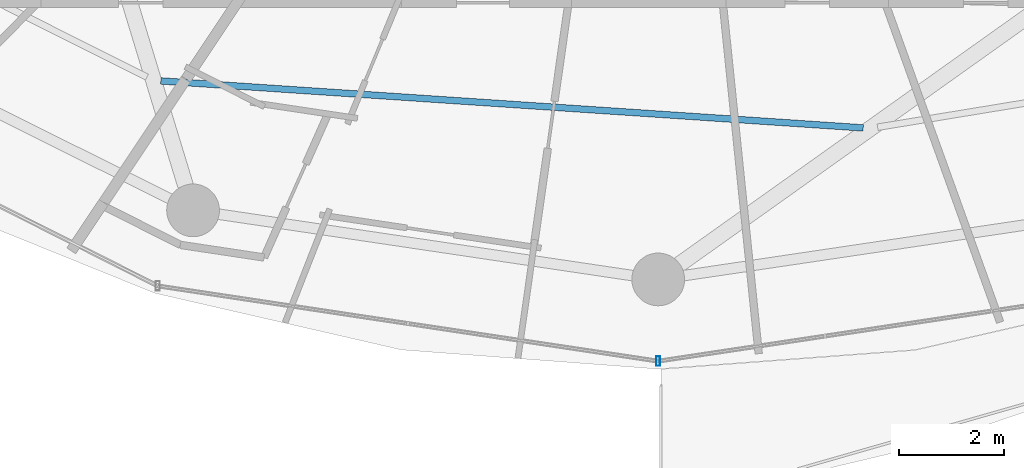
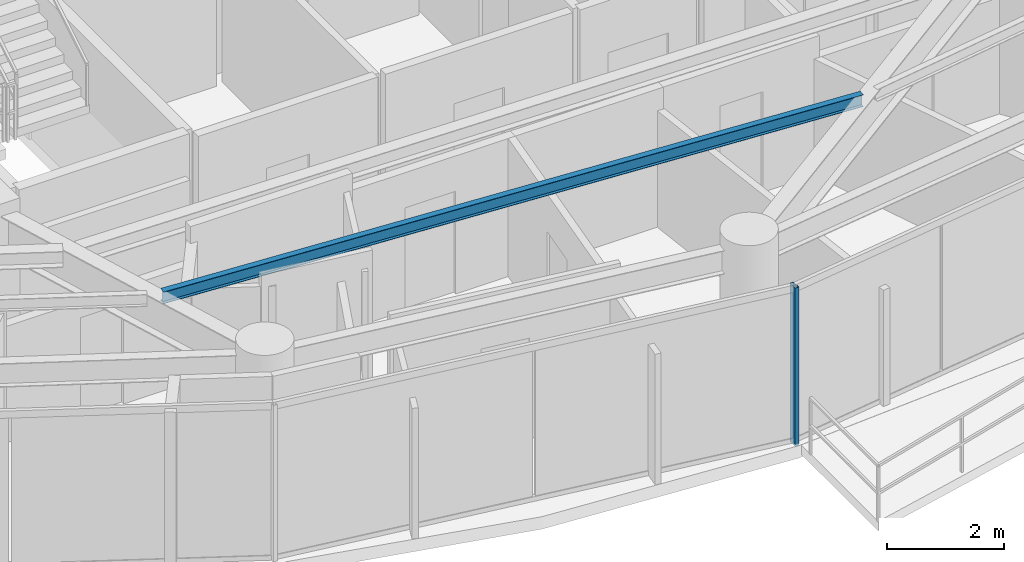
# One storey, part 6 of 30: 1 beam, 1 member, 1 element without a shape of its own.
"""IFC4 building model written with IfcOpenShell, lengths in metres."""

import ifcopenshell
import ifcopenshell.guid

model = None  # the IFC model being written
_history = None  # IfcOwnerHistory: only IFC2X3 demands one
_inside = {}  # id of a spatial element -> (the spatial element, [elements in it])
_under = {}  # id of a project, library or spatial element -> (it, [spatial elements below it])
_declared = {}  # id of a project -> (the project, [libraries it declares])
_typed = {}  # id of a type object -> (the type object, [elements of that type])
_made_of = {}  # id of a material, layer set ... -> (it, [elements and type objects made of it])


def new_model(schema):
    """Start an empty IFC model of exactly this schema.

    Asked for "IFC4X3", IfcOpenShell would pick the latest addendum, in which some entities
    have other attributes; the version numbers below select the first issue.
    IFC2X3 requires an IfcOwnerHistory on every rooted entity: one is made here for all.
    """
    global model, _history
    if schema == "IFC4X3":
        model = ifcopenshell.file(schema_version=(4, 3, 0, 0))
    else:
        model = ifcopenshell.file(schema=schema)
    _inside.clear()
    _under.clear()
    _declared.clear()
    _typed.clear()
    _made_of.clear()
    _history = None
    if model.schema == "IFC2X3":
        org = make("IfcOrganization", Name="unknown")
        user = make(
            "IfcPersonAndOrganization",
            ThePerson=make("IfcPerson", FamilyName="unknown"),
            TheOrganization=org,
        )
        app = make(
            "IfcApplication",
            ApplicationDeveloper=org,
            Version="unknown",
            ApplicationFullName="unknown",
            ApplicationIdentifier="unknown",
        )
        _history = make(
            "IfcOwnerHistory",
            OwningUser=user,
            OwningApplication=app,
            ChangeAction="ADDED",
            CreationDate=0,
        )
    return model


def make(cls, **values):
    """One entity of the class cls with the attributes given. An attribute that is None is left unset."""
    return model.create_entity(
        cls, **{name: value for name, value in values.items() if value is not None}
    )


def rooted(cls, **values):
    """An entity with a GlobalId (a new one), such as an element, a storey or a relation."""
    return make(cls, GlobalId=ifcopenshell.guid.new(), OwnerHistory=_history, **values)


def si_unit(unit_type, name, prefix=None):
    """IfcSIUnit, for example si_unit("LENGTHUNIT", "METRE", prefix="MILLI")."""
    return make("IfcSIUnit", UnitType=unit_type, Prefix=prefix, Name=name)


def assignment(units):
    """IfcUnitAssignment: the units of a project."""
    return None if units is None else make("IfcUnitAssignment", Units=units)


def point(xyz):
    """IfcCartesianPoint."""
    return None if xyz is None else make("IfcCartesianPoint", Coordinates=xyz)


def direction(xyz):
    """IfcDirection."""
    return None if xyz is None else make("IfcDirection", DirectionRatios=xyz)


def frame(location, z_axis=None, x_axis=None):
    """IfcAxis2Placement3D, a coordinate frame: its origin and axes. An axis left out is left unset."""
    return make(
        "IfcAxis2Placement3D",
        Location=point(location),
        Axis=direction(z_axis),
        RefDirection=direction(x_axis),
    )


def frame_2d(location, x_axis=None):
    """IfcAxis2Placement2D, a coordinate frame in the plane: its origin and x axis."""
    return make(
        "IfcAxis2Placement2D", Location=point(location), RefDirection=direction(x_axis)
    )


def origin():
    """The frame at (0, 0, 0) with its axes left unset."""
    return frame((0.0, 0.0, 0.0))


def origin_2d():
    """The frame at (0, 0) in the plane with its x axis left unset."""
    return frame_2d((0.0, 0.0))


def place(relative_to, where):
    """IfcLocalPlacement: puts the frame where relative to a parent placement (None: the world)."""
    return make(
        "IfcLocalPlacement", PlacementRelTo=relative_to, RelativePlacement=where
    )


def context(
    kind, dimensions, precision=None, world=None, true_north=None, identifier=None
):
    """IfcGeometricRepresentationContext, for example the 3D "Model" context."""
    return make(
        "IfcGeometricRepresentationContext",
        ContextIdentifier=identifier,
        ContextType=kind,
        CoordinateSpaceDimension=dimensions,
        Precision=precision,
        WorldCoordinateSystem=world,
        TrueNorth=true_north,
    )


def subcontext(parent, identifier, kind, view, scale=None):
    """IfcGeometricRepresentationSubContext, for example "Body" below "Model"."""
    return make(
        "IfcGeometricRepresentationSubContext",
        ContextIdentifier=identifier,
        ContextType=kind,
        ParentContext=parent,
        TargetScale=scale,
        TargetView=view,
    )


def project(units=None, contexts=None):
    """IfcProject with its units and contexts."""
    return rooted(
        "IfcProject",
        Name="project",
        RepresentationContexts=contexts,
        UnitsInContext=assignment(units),
    )


def spatial(cls, under=None, at=None, **own):
    """A site, building, storey or space (cls), placed at a placement, below another one or the project."""
    s = rooted(cls, ObjectPlacement=at, **own)
    if under is not None:
        _under.setdefault(under.id(), (under, []))[1].append(s)
    return s


def profile(cls, at=None, kind="AREA", **sizes):
    """A parametric profile (cls). Its sizes go by their IFC names, for example OverallWidth=200.0."""
    return make(cls, ProfileType=kind, Position=at, **sizes)


def hollow_rectangle(**sizes):
    """IfcRectangleHollowProfileDef."""
    return profile("IfcRectangleHollowProfileDef", **sizes)


def i_section(**sizes):
    """IfcIShapeProfileDef."""
    return profile("IfcIShapeProfileDef", **sizes)


def extrude(swept, where, along, depth):
    """IfcExtrudedAreaSolid: the profile swept, set in the frame where, extruded along a direction by depth."""
    return make(
        "IfcExtrudedAreaSolid",
        SweptArea=swept,
        Position=where,
        ExtrudedDirection=direction(along),
        Depth=depth,
    )


def shape(context_of_items, identifier, shape_type, items):
    """IfcShapeRepresentation: the items that make up one representation, for example the "Body"."""
    return make(
        "IfcShapeRepresentation",
        ContextOfItems=context_of_items,
        RepresentationIdentifier=identifier,
        RepresentationType=shape_type,
        Items=items,
    )


def material(Name=None, Category=None):
    """IfcMaterial."""
    return make("IfcMaterial", Name=Name, Category=Category)


def material_profile(
    of_material, cross_section, Name=None, Category=None, Priority=None
):
    """IfcMaterialProfile: a cross section and its material."""
    return make(
        "IfcMaterialProfile",
        Name=Name,
        Material=of_material,
        Profile=cross_section,
        Priority=Priority,
        Category=Category,
    )


def profile_set(profiles, Name=None, composite=None):
    """IfcMaterialProfileSet."""
    return make(
        "IfcMaterialProfileSet",
        Name=Name,
        MaterialProfiles=profiles,
        CompositeProfile=composite,
    )


def made_of(thing, what):
    """Note that an element or type object is made of a material, layer set ...; save() writes the relation."""
    if what is not None:
        _made_of.setdefault(what.id(), (what, []))[1].append(thing)
    return thing


def type_object(cls, material=None, **own):
    """A type object (cls), such as IfcWallType, which elements share."""
    return made_of(rooted(cls, **own), material)


def element(
    cls,
    number,
    at=None,
    inside=None,
    cuts=None,
    type_object=None,
    material=None,
    context=None,
    identifier="Body",
    shape_type=None,
    held_by="IfcProductDefinitionShape",
    body=None,
    shapes=None,
    **own,
):
    """One element of the class cls, such as IfcWall. Its Tag is "e" and its number.

    at: its placement. inside: the storey or other place that contains it. cuts: it is an
    opening in that element (IfcRelVoidsElement). A single representation is given by context,
    identifier, shape_type and body (its items); several are given by shapes. held_by: the class
    of the entity that holds the representations. save() writes the other relations.
    """
    e = rooted(cls, Tag="e%d" % number, ObjectPlacement=at, **own)
    if body is not None:
        shapes = [shape(context, identifier, shape_type, body)]
    if shapes is not None:
        e.Representation = make(held_by, Representations=shapes)
    if inside is not None:
        _inside.setdefault(inside.id(), (inside, []))[1].append(e)
    if cuts is not None:
        rooted(
            "IfcRelVoidsElement", RelatingBuildingElement=cuts, RelatedOpeningElement=e
        )
    if type_object is not None:
        _typed.setdefault(type_object.id(), (type_object, []))[1].append(e)
    return made_of(e, material)


def aggregate(whole, parts):
    """IfcRelAggregates: a whole, such as a stair, and the parts it consists of."""
    return rooted("IfcRelAggregates", RelatingObject=whole, RelatedObjects=parts)


def save(model, path):
    """Write the relations noted so far, then the file.

    IfcRelAggregates (storeys below a building ...), IfcRelContainedInSpatialStructure (elements
    in a storey), IfcRelDefinesByType, IfcRelAssociatesMaterial and IfcRelDeclares: one each for
    every whole, place, type object, material and project.
    """
    for whole, parts in _under.values():
        aggregate(whole, parts)
    for where, things in _inside.values():
        rooted(
            "IfcRelContainedInSpatialStructure",
            RelatedElements=things,
            RelatingStructure=where,
        )
    for kind, things in _typed.values():
        rooted("IfcRelDefinesByType", RelatedObjects=things, RelatingType=kind)
    for what, things in _made_of.values():
        rooted("IfcRelAssociatesMaterial", RelatedObjects=things, RelatingMaterial=what)
    for by, libraries in _declared.values():
        rooted("IfcRelDeclares", RelatingContext=by, RelatedDefinitions=libraries)
    model.write(path)


model = new_model("IFC4")

# Units and contexts
model_context = context("Model", 3, precision=1e-05, world=origin(), true_north=direction((0.0, 1.0)))
body_context = subcontext(model_context, "Body", "Model", "MODEL_VIEW")
ifc_project = project(units=[si_unit("LENGTHUNIT", "METRE"), si_unit("AREAUNIT", "SQUARE_METRE"), si_unit("VOLUMEUNIT", "CUBIC_METRE"), si_unit("PLANEANGLEUNIT", "RADIAN"), si_unit("MASSUNIT", "GRAM", prefix="KILO")], contexts=[model_context])

# Site, building, storey
site_placement = place(None, origin())
site = spatial("IfcSite", under=ifc_project, at=site_placement, CompositionType="ELEMENT")
building_placement = place(site_placement, origin())
building = spatial("IfcBuilding", under=site, at=building_placement, Name="Vorneva Point Tower", CompositionType="ELEMENT")
storey_placement = place(building_placement, frame((0.0, 0.0, 157.10009765625)))
storey = spatial("IfcBuildingStorey", under=building, at=storey_placement, Name="L42", CompositionType="ELEMENT", Elevation=157.10009765625)

# Beam
ifc_material_1 = material(Name="Steel S355", Category="steel")
ifc_material_profile_1 = material_profile(ifc_material_1, i_section(OverallWidth=0.1240234375, OverallDepth=0.248046875, WebThickness=0.0048828125, FlangeThickness=0.008056640625, at=origin_2d()), Name="25B1")
ifc_profile_set_1 = profile_set([ifc_material_profile_1], Name="Steel S355")
beam_type = type_object("IfcBeamType", Name="BM-JST-25B1", PredefinedType="JOIST", material=ifc_profile_set_1)
beam_placement = place(storey_placement, frame((28.567138671875, 12.564453125, 3.115966796875), z_axis=(0.997769675218, -0.066750844307, 0.0), x_axis=(0.066750844307, 0.997769675218, 0.0)))
element("IfcBeam", 1, at=beam_placement, inside=storey, type_object=beam_type, Name="L42 Secondary Floor Beam 1.12", PredefinedType="JOIST", context=body_context, shape_type="SweptSolid", body=[
    extrude(i_section(OverallWidth=0.1240234375, OverallDepth=0.248046875, WebThickness=0.0048828125, FlangeThickness=0.008056640625, at=origin_2d()), origin(), (0.0, 0.0, 1.0), 13.349853515625),
])

# Curtain wall, member
ifc_material_2 = material(Name="Pale anodised aluminium", Category="aluminium")
curtain_wall_type = type_object("IfcCurtainWallType", Name="CW-RES-SYS", PredefinedType="NOTDEFINED", material=ifc_material_2)
curtain_wall_placement = place(storey_placement, origin())
curtain_wall = element("IfcCurtainWall", 2, at=curtain_wall_placement, inside=storey, type_object=curtain_wall_type, Name="L42 Unitised Curtain Wall CW-L42-R04", PredefinedType="NOTDEFINED")
ifc_material_profile_2 = material_profile(ifc_material_2, hollow_rectangle(XDim=0.074951171875, YDim=0.179931640625, WallThickness=0.00390625, at=origin_2d()), Name="AL-MUL 180x75x4")
ifc_profile_set_2 = profile_set([ifc_material_profile_2], Name="Pale anodised aluminium")
member_type = type_object("IfcMemberType", Name="CW-MUL-180", PredefinedType="MULLION", material=ifc_profile_set_2)
member_placement = place(storey_placement, frame((38.0, 7.25, -0.0400390625), z_axis=(0.0, 0.0, 1.0), x_axis=(1.0, 0.0, 0.0)))
member = element("IfcMember", 3, at=member_placement, type_object=member_type, Name="CW-L42-R04 Mullion 03", PredefinedType="MULLION", context=body_context, shape_type="SweptSolid", body=[
    extrude(hollow_rectangle(XDim=0.074951171875, YDim=0.179931640625, WallThickness=0.00390625, at=origin_2d()), origin(), (0.0, 0.0, 1.0), 3.31005859375),
])
aggregate(curtain_wall, [member])

save(model, "model.ifc")
